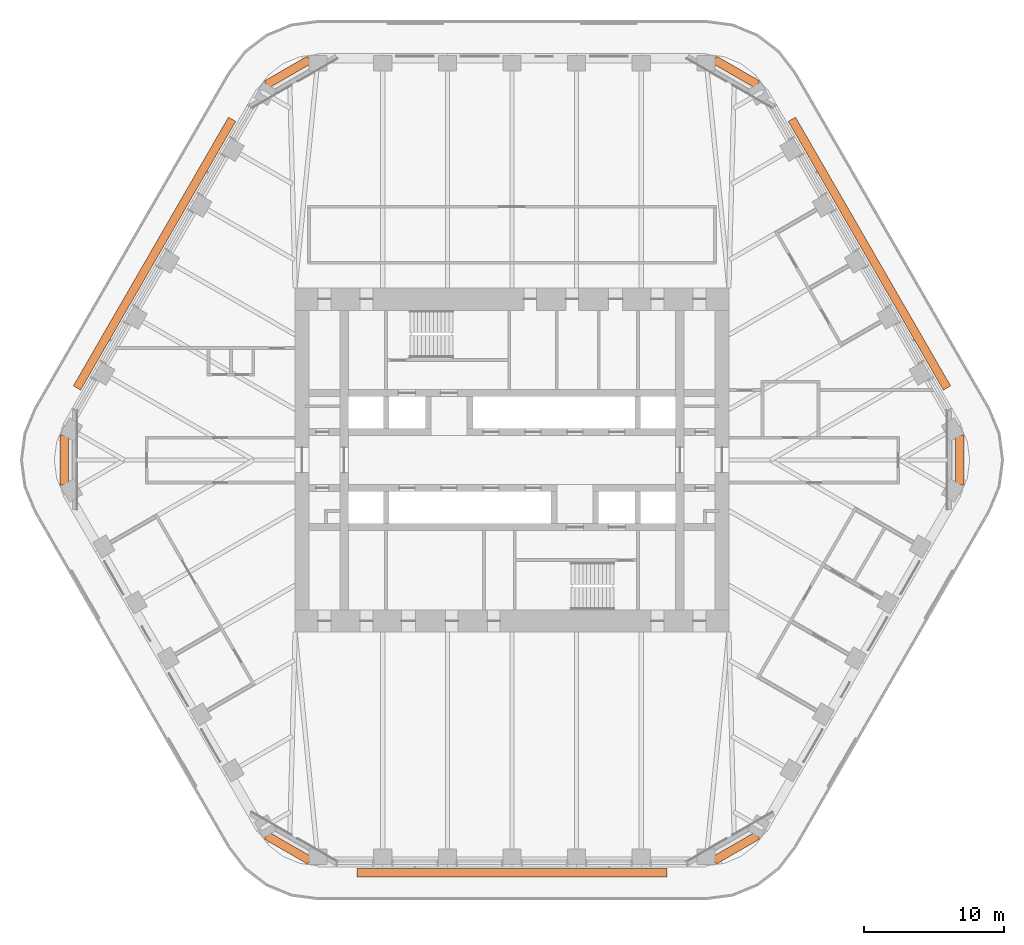
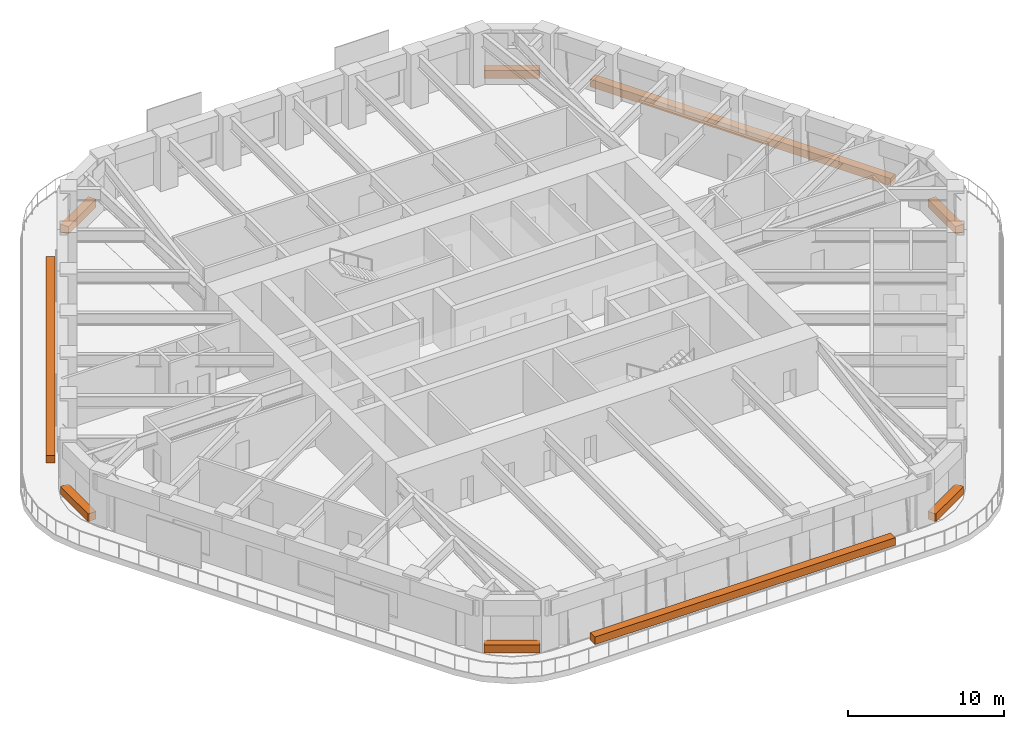
# One storey, part 20 of 20: 9 proxies.
"""IFC4 building model written with IfcOpenShell, lengths in metres."""

import ifcopenshell
import ifcopenshell.guid

model = None  # the IFC model being written
_history = None  # IfcOwnerHistory: only IFC2X3 demands one
_inside = {}  # id of a spatial element -> (the spatial element, [elements in it])
_under = {}  # id of a project, library or spatial element -> (it, [spatial elements below it])
_declared = {}  # id of a project -> (the project, [libraries it declares])
_typed = {}  # id of a type object -> (the type object, [elements of that type])
_made_of = {}  # id of a material, layer set ... -> (it, [elements and type objects made of it])


def new_model(schema):
    """Start an empty IFC model of exactly this schema.

    Asked for "IFC4X3", IfcOpenShell would pick the latest addendum, in which some entities
    have other attributes; the version numbers below select the first issue.
    IFC2X3 requires an IfcOwnerHistory on every rooted entity: one is made here for all.
    """
    global model, _history
    if schema == "IFC4X3":
        model = ifcopenshell.file(schema_version=(4, 3, 0, 0))
    else:
        model = ifcopenshell.file(schema=schema)
    _inside.clear()
    _under.clear()
    _declared.clear()
    _typed.clear()
    _made_of.clear()
    _history = None
    if model.schema == "IFC2X3":
        org = make("IfcOrganization", Name="unknown")
        user = make(
            "IfcPersonAndOrganization",
            ThePerson=make("IfcPerson", FamilyName="unknown"),
            TheOrganization=org,
        )
        app = make(
            "IfcApplication",
            ApplicationDeveloper=org,
            Version="unknown",
            ApplicationFullName="unknown",
            ApplicationIdentifier="unknown",
        )
        _history = make(
            "IfcOwnerHistory",
            OwningUser=user,
            OwningApplication=app,
            ChangeAction="ADDED",
            CreationDate=0,
        )
    return model


def make(cls, **values):
    """One entity of the class cls with the attributes given. An attribute that is None is left unset."""
    return model.create_entity(
        cls, **{name: value for name, value in values.items() if value is not None}
    )


def rooted(cls, **values):
    """An entity with a GlobalId (a new one), such as an element, a storey or a relation."""
    return make(cls, GlobalId=ifcopenshell.guid.new(), OwnerHistory=_history, **values)


def si_unit(unit_type, name, prefix=None):
    """IfcSIUnit, for example si_unit("LENGTHUNIT", "METRE", prefix="MILLI")."""
    return make("IfcSIUnit", UnitType=unit_type, Prefix=prefix, Name=name)


def assignment(units):
    """IfcUnitAssignment: the units of a project."""
    return None if units is None else make("IfcUnitAssignment", Units=units)


def point(xyz):
    """IfcCartesianPoint."""
    return None if xyz is None else make("IfcCartesianPoint", Coordinates=xyz)


def direction(xyz):
    """IfcDirection."""
    return None if xyz is None else make("IfcDirection", DirectionRatios=xyz)


def frame(location, z_axis=None, x_axis=None):
    """IfcAxis2Placement3D, a coordinate frame: its origin and axes. An axis left out is left unset."""
    return make(
        "IfcAxis2Placement3D",
        Location=point(location),
        Axis=direction(z_axis),
        RefDirection=direction(x_axis),
    )


def frame_2d(location, x_axis=None):
    """IfcAxis2Placement2D, a coordinate frame in the plane: its origin and x axis."""
    return make(
        "IfcAxis2Placement2D", Location=point(location), RefDirection=direction(x_axis)
    )


def origin():
    """The frame at (0, 0, 0) with its axes left unset."""
    return frame((0.0, 0.0, 0.0))


def origin_2d():
    """The frame at (0, 0) in the plane with its x axis left unset."""
    return frame_2d((0.0, 0.0))


def place(relative_to, where):
    """IfcLocalPlacement: puts the frame where relative to a parent placement (None: the world)."""
    return make(
        "IfcLocalPlacement", PlacementRelTo=relative_to, RelativePlacement=where
    )


def context(
    kind, dimensions, precision=None, world=None, true_north=None, identifier=None
):
    """IfcGeometricRepresentationContext, for example the 3D "Model" context."""
    return make(
        "IfcGeometricRepresentationContext",
        ContextIdentifier=identifier,
        ContextType=kind,
        CoordinateSpaceDimension=dimensions,
        Precision=precision,
        WorldCoordinateSystem=world,
        TrueNorth=true_north,
    )


def subcontext(parent, identifier, kind, view, scale=None):
    """IfcGeometricRepresentationSubContext, for example "Body" below "Model"."""
    return make(
        "IfcGeometricRepresentationSubContext",
        ContextIdentifier=identifier,
        ContextType=kind,
        ParentContext=parent,
        TargetScale=scale,
        TargetView=view,
    )


def project(units=None, contexts=None):
    """IfcProject with its units and contexts."""
    return rooted(
        "IfcProject",
        Name="project",
        RepresentationContexts=contexts,
        UnitsInContext=assignment(units),
    )


def spatial(cls, under=None, at=None, **own):
    """A site, building, storey or space (cls), placed at a placement, below another one or the project."""
    s = rooted(cls, ObjectPlacement=at, **own)
    if under is not None:
        _under.setdefault(under.id(), (under, []))[1].append(s)
    return s


def profile(cls, at=None, kind="AREA", **sizes):
    """A parametric profile (cls). Its sizes go by their IFC names, for example OverallWidth=200.0."""
    return make(cls, ProfileType=kind, Position=at, **sizes)


def rectangle(**sizes):
    """IfcRectangleProfileDef."""
    return profile("IfcRectangleProfileDef", **sizes)


def extrude(swept, where, along, depth):
    """IfcExtrudedAreaSolid: the profile swept, set in the frame where, extruded along a direction by depth."""
    return make(
        "IfcExtrudedAreaSolid",
        SweptArea=swept,
        Position=where,
        ExtrudedDirection=direction(along),
        Depth=depth,
    )


def shape(context_of_items, identifier, shape_type, items):
    """IfcShapeRepresentation: the items that make up one representation, for example the "Body"."""
    return make(
        "IfcShapeRepresentation",
        ContextOfItems=context_of_items,
        RepresentationIdentifier=identifier,
        RepresentationType=shape_type,
        Items=items,
    )


def material(Name=None, Category=None):
    """IfcMaterial."""
    return make("IfcMaterial", Name=Name, Category=Category)


def made_of(thing, what):
    """Note that an element or type object is made of a material, layer set ...; save() writes the relation."""
    if what is not None:
        _made_of.setdefault(what.id(), (what, []))[1].append(thing)
    return thing


def element(
    cls,
    number,
    at=None,
    inside=None,
    cuts=None,
    type_object=None,
    material=None,
    context=None,
    identifier="Body",
    shape_type=None,
    held_by="IfcProductDefinitionShape",
    body=None,
    shapes=None,
    **own,
):
    """One element of the class cls, such as IfcWall. Its Tag is "e" and its number.

    at: its placement. inside: the storey or other place that contains it. cuts: it is an
    opening in that element (IfcRelVoidsElement). A single representation is given by context,
    identifier, shape_type and body (its items); several are given by shapes. held_by: the class
    of the entity that holds the representations. save() writes the other relations.
    """
    e = rooted(cls, Tag="e%d" % number, ObjectPlacement=at, **own)
    if body is not None:
        shapes = [shape(context, identifier, shape_type, body)]
    if shapes is not None:
        e.Representation = make(held_by, Representations=shapes)
    if inside is not None:
        _inside.setdefault(inside.id(), (inside, []))[1].append(e)
    if cuts is not None:
        rooted(
            "IfcRelVoidsElement", RelatingBuildingElement=cuts, RelatedOpeningElement=e
        )
    if type_object is not None:
        _typed.setdefault(type_object.id(), (type_object, []))[1].append(e)
    return made_of(e, material)


def aggregate(whole, parts):
    """IfcRelAggregates: a whole, such as a stair, and the parts it consists of."""
    return rooted("IfcRelAggregates", RelatingObject=whole, RelatedObjects=parts)


def save(model, path):
    """Write the relations noted so far, then the file.

    IfcRelAggregates (storeys below a building ...), IfcRelContainedInSpatialStructure (elements
    in a storey), IfcRelDefinesByType, IfcRelAssociatesMaterial and IfcRelDeclares: one each for
    every whole, place, type object, material and project.
    """
    for whole, parts in _under.values():
        aggregate(whole, parts)
    for where, things in _inside.values():
        rooted(
            "IfcRelContainedInSpatialStructure",
            RelatedElements=things,
            RelatingStructure=where,
        )
    for kind, things in _typed.values():
        rooted("IfcRelDefinesByType", RelatedObjects=things, RelatingType=kind)
    for what, things in _made_of.values():
        rooted("IfcRelAssociatesMaterial", RelatedObjects=things, RelatingMaterial=what)
    for by, libraries in _declared.values():
        rooted("IfcRelDeclares", RelatingContext=by, RelatedDefinitions=libraries)
    model.write(path)


model = new_model("IFC4")

# Units and contexts
model_context = context("Model", 3, precision=1e-05, world=origin(), true_north=direction((0.0, 1.0)))
body_context = subcontext(model_context, "Body", "Model", "MODEL_VIEW")
ifc_project = project(units=[si_unit("LENGTHUNIT", "METRE"), si_unit("AREAUNIT", "SQUARE_METRE"), si_unit("VOLUMEUNIT", "CUBIC_METRE"), si_unit("PLANEANGLEUNIT", "RADIAN"), si_unit("MASSUNIT", "GRAM", prefix="KILO")], contexts=[model_context])

# Site, building, storey
site_placement = place(None, origin())
site = spatial("IfcSite", under=ifc_project, at=site_placement, CompositionType="ELEMENT")
building_placement = place(site_placement, origin())
building = spatial("IfcBuilding", under=site, at=building_placement, Name="Tarfa Lantern Tower", CompositionType="ELEMENT")
storey_placement = place(building_placement, frame((0.0, 0.0, 249.10009765625)))
storey = spatial("IfcBuildingStorey", under=building, at=storey_placement, Name="L56", CompositionType="ELEMENT", Elevation=249.10009765625)

# Proxies
ifc_material = material(Name="Planting bed")
for number, where, z_axis, x_axis, name in (
    (1, (16.006591796875, 27.72412109375, 0.039794921875), (0.0, 0.0, 1.0), (-0.866025403784, 0.5, 0.0), "Sky garden planter"),
    (2, (-16.006591796875, 27.72412109375, 0.039794921875), (0.0, 0.0, 1.0), (-0.866025403784, -0.5, 0.0), "Sky garden planter"),
    (3, (-32.012939453125, 0.0, 0.039794921875), (0.0, 0.0, 1.0), (0.0, -1.0, 0.0), "Sky garden planter"),
    (4, (-16.006591796875, -27.72412109375, 0.039794921875), (0.0, 0.0, 1.0), (0.866025403784, -0.5, 0.0), "Sky garden planter"),
    (5, (16.006591796875, -27.72412109375, 0.039794921875), (0.0, 0.0, 1.0), (0.866025403784, 0.5, 0.0), "Sky garden planter"),
    (6, (32.012939453125, 0.0, 0.039794921875), (0.0, 0.0, 1.0), (0.0, 1.0, 0.0), "Sky garden planter"),
):
    element("IfcBuildingElementProxy", number, at=place(storey_placement, frame(where, z_axis=z_axis, x_axis=x_axis)), inside=storey, material=ifc_material, Name=name, ObjectType="PLANTER", PredefinedType="USERDEFINED", context=body_context, shape_type="SweptSolid", body=[
        extrude(rectangle(XDim=3.551025390625, YDim=0.60009765625, at=origin_2d()), origin(), (0.0, 0.0, 1.0), 0.60009765625),
    ])
for number, where, z_axis, x_axis, name in (
    (7, (25.5478515625, 14.75, -0.000244140625), (0.0, 0.0, 1.0), (-0.5, 0.866025403784, 0.0), "Balcony planter"),
    (8, (-25.5478515625, 14.75, -0.000244140625), (0.0, 0.0, 1.0), (-0.5, -0.866025403784, 0.0), "Balcony planter"),
    (9, (0.0, -29.5, -0.000244140625), (0.0, 0.0, 1.0), (1.0, 0.0, 0.0), "Balcony planter"),
):
    element("IfcBuildingElementProxy", number, at=place(storey_placement, frame(where, z_axis=z_axis, x_axis=x_axis)), inside=storey, material=ifc_material, Name=name, ObjectType="PLANTER", PredefinedType="USERDEFINED", context=body_context, shape_type="SweptSolid", body=[
        extrude(rectangle(XDim=22.170166015625, YDim=0.60009765625, at=origin_2d()), origin(), (0.0, 0.0, 1.0), 0.60009765625),
    ])

save(model, "model.ifc")
